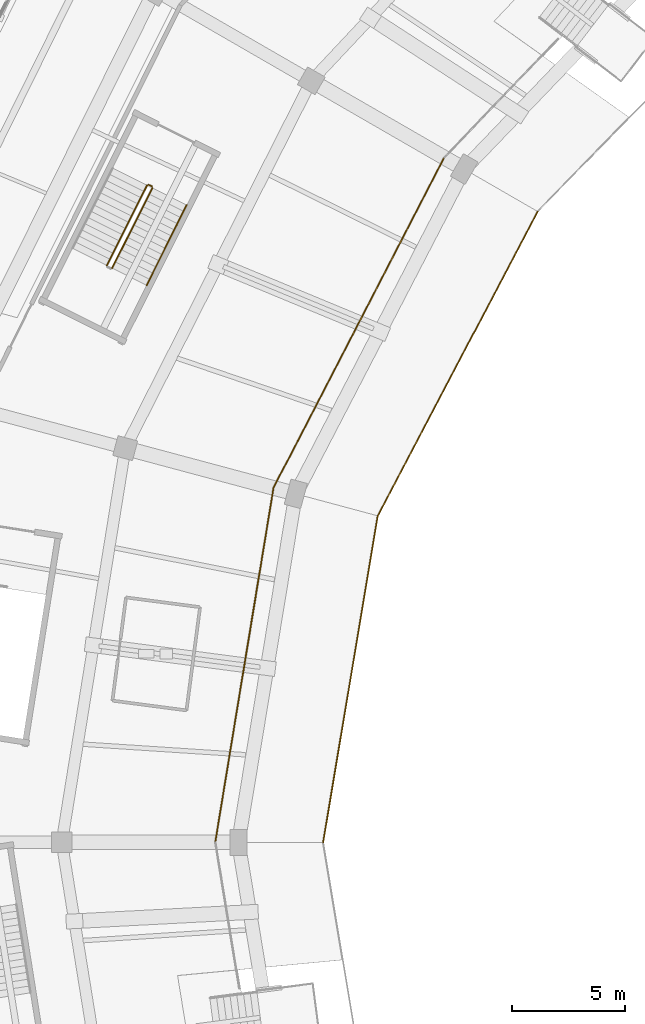
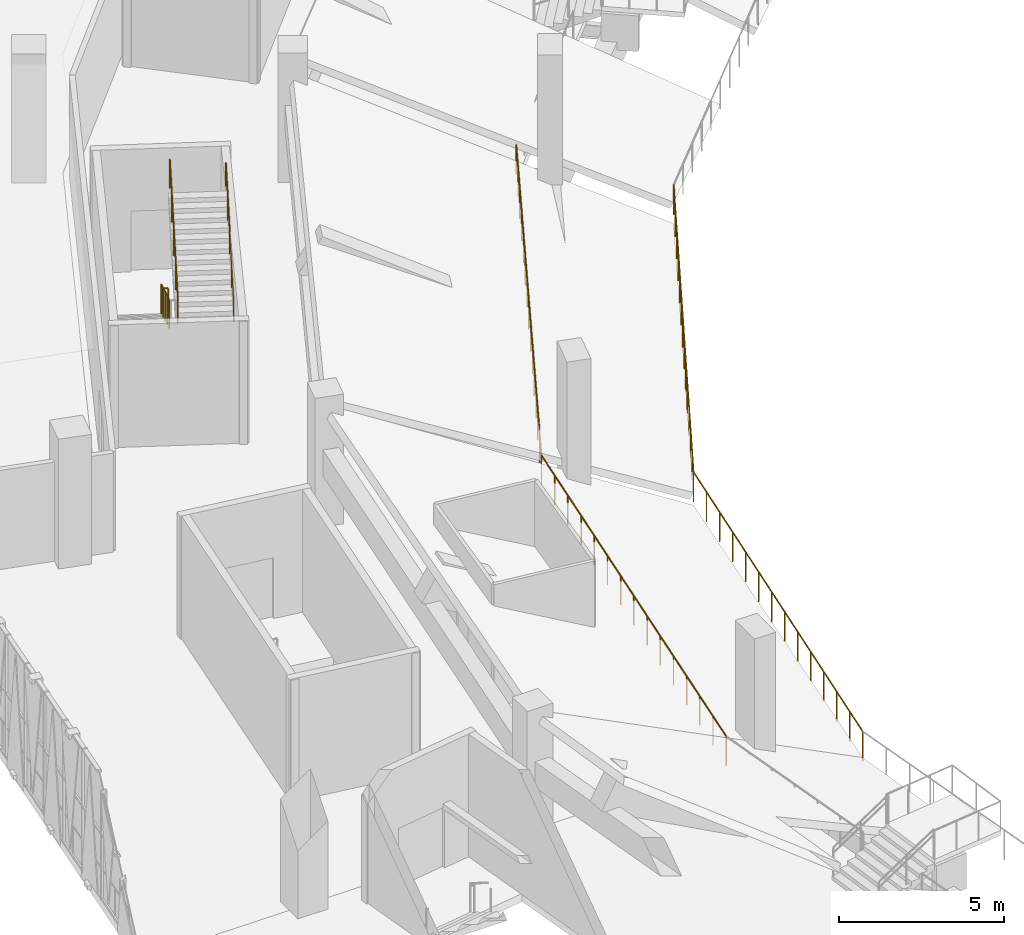
# One storey, part 124 of 152: 8 railings.
"""IFC4 building model written with IfcOpenShell, lengths in metres."""

from ifc_helpers import new_model, si_unit, direction, frame, origin, origin_2d, place, context, subcontext, project, spatial, circle, extrude, material, type_object, element, save


model = new_model("IFC4")

# Units and contexts
model_context = context("Model", 3, precision=1e-05, world=origin(), true_north=direction((0.0, 1.0)))
body_context = subcontext(model_context, "Body", "Model", "MODEL_VIEW")
ifc_project = project(units=[si_unit("LENGTHUNIT", "METRE"), si_unit("AREAUNIT", "SQUARE_METRE"), si_unit("VOLUMEUNIT", "CUBIC_METRE"), si_unit("PLANEANGLEUNIT", "RADIAN"), si_unit("MASSUNIT", "GRAM", prefix="KILO")], contexts=[model_context])

# Site, building, storey
site_placement = place(None, origin())
site = spatial("IfcSite", under=ifc_project, at=site_placement, CompositionType="ELEMENT")
building_placement = place(site_placement, origin())
building = spatial("IfcBuilding", under=site, at=building_placement, Name="Zevraka Park Crest Stadium", CompositionType="ELEMENT")
storey_placement = place(building_placement, frame((0.0, 0.0, 15.0)))
storey = spatial("IfcBuildingStorey", under=building, at=storey_placement, Name="L03", CompositionType="ELEMENT", Elevation=15.0)

# Railings
ifc_material_1 = material(Name="Galvanised and bronze-finished steel balustrade", Category="steel")
railing_type_1 = type_object("IfcRailingType", Name="GR01", PredefinedType="GUARDRAIL", material=ifc_material_1)
railing_1_placement = place(storey_placement, frame((46.595947265625, 122.257080078125, 0.0)))
element("IfcRailing", 1, at=railing_1_placement, inside=storey, type_object=railing_type_1, Name="Deck Edge Protection Guardrail GR01 L03-77", PredefinedType="GUARDRAIL", context=body_context, shape_type="SweptSolid", body=[
    extrude(circle(Radius=0.02392578125, at=origin_2d()), frame((0.0, 0.0, 1.076171875), z_axis=(-0.459204881933, -0.888330386967, 0.0), x_axis=(0.888330386967, -0.459204881933, 0.0)), (0.0, 0.0, 1.0), 16.419677734375),
    extrude(circle(Radius=0.02099609375, at=origin_2d()), origin(), (0.0, 0.0, 1.0), 1.052001953125),
    extrude(circle(Radius=0.02099609375, at=origin_2d()), frame((-0.53857421875, -1.0419921875, 0.0)), (0.0, 0.0, 1.0), 1.052001953125),
    extrude(circle(Radius=0.02099609375, at=origin_2d()), frame((-1.0771484375, -2.083740234375, 0.0)), (0.0, 0.0, 1.0), 1.052001953125),
    extrude(circle(Radius=0.02099609375, at=origin_2d()), frame((-1.61572265625, -3.12548828125, 0.0)), (0.0, 0.0, 1.0), 1.052001953125),
    extrude(circle(Radius=0.02099609375, at=origin_2d()), frame((-2.154296875, -4.16748046875, 0.0)), (0.0, 0.0, 1.0), 1.052001953125),
    extrude(circle(Radius=0.02099609375, at=origin_2d()), frame((-2.69287109375, -5.20947265625, 0.0)), (0.0, 0.0, 1.0), 1.052001953125),
    extrude(circle(Radius=0.02099609375, at=origin_2d()), frame((-3.2314453125, -6.251220703125, 0.0)), (0.0, 0.0, 1.0), 1.052001953125),
    extrude(circle(Radius=0.02099609375, at=origin_2d()), frame((-3.77001953125, -7.29296875, 0.0)), (0.0, 0.0, 1.0), 1.052001953125),
    extrude(circle(Radius=0.02099609375, at=origin_2d()), frame((-4.30859375, -8.3349609375, 0.0)), (0.0, 0.0, 1.0), 1.052001953125),
    extrude(circle(Radius=0.02099609375, at=origin_2d()), frame((-4.84716796875, -9.376953125, 0.0)), (0.0, 0.0, 1.0), 1.052001953125),
    extrude(circle(Radius=0.02099609375, at=origin_2d()), frame((-5.3857421875, -10.418701171875, 0.0)), (0.0, 0.0, 1.0), 1.052001953125),
    extrude(circle(Radius=0.02099609375, at=origin_2d()), frame((-5.92431640625, -11.46044921875, 0.0)), (0.0, 0.0, 1.0), 1.052001953125),
    extrude(circle(Radius=0.02099609375, at=origin_2d()), frame((-6.462890625, -12.50244140625, 0.0)), (0.0, 0.0, 1.0), 1.052001953125),
    extrude(circle(Radius=0.02099609375, at=origin_2d()), frame((-7.00146484375, -13.54443359375, 0.0)), (0.0, 0.0, 1.0), 1.052001953125),
    extrude(circle(Radius=0.02099609375, at=origin_2d()), frame((-7.5400390625, -14.586181640625, 0.0)), (0.0, 0.0, 1.0), 1.052001953125),
])
railing_2_placement = place(storey_placement, frame((39.055908203125, 107.6708984375, 0.0)))
element("IfcRailing", 2, at=railing_2_placement, inside=storey, type_object=railing_type_1, Name="Deck Edge Protection Guardrail GR01 L03-78", PredefinedType="GUARDRAIL", context=body_context, shape_type="SweptSolid", body=[
    extrude(circle(Radius=0.02392578125, at=origin_2d()), frame((0.0, 0.0, 1.076171875), z_axis=(-0.162250715874, -0.986749565593, 0.0), x_axis=(0.986749565593, -0.162250715874, 0.0)), (0.0, 0.0, 1.0), 15.8701171875),
    extrude(circle(Radius=0.02099609375, at=origin_2d()), origin(), (0.0, 0.0, 1.0), 1.052001953125),
    extrude(circle(Radius=0.02099609375, at=origin_2d()), frame((-0.183837890625, -1.11865234375, 0.0)), (0.0, 0.0, 1.0), 1.052001953125),
    extrude(circle(Radius=0.02099609375, at=origin_2d()), frame((-0.367919921875, -2.237060546875, 0.0)), (0.0, 0.0, 1.0), 1.052001953125),
    extrude(circle(Radius=0.02099609375, at=origin_2d()), frame((-0.5517578125, -3.355712890625, 0.0)), (0.0, 0.0, 1.0), 1.052001953125),
    extrude(circle(Radius=0.02099609375, at=origin_2d()), frame((-0.735595703125, -4.474365234375, 0.0)), (0.0, 0.0, 1.0), 1.052001953125),
    extrude(circle(Radius=0.02099609375, at=origin_2d()), frame((-0.919677734375, -5.5927734375, 0.0)), (0.0, 0.0, 1.0), 1.052001953125),
    extrude(circle(Radius=0.02099609375, at=origin_2d()), frame((-1.103515625, -6.71142578125, 0.0)), (0.0, 0.0, 1.0), 1.052001953125),
    extrude(circle(Radius=0.02099609375, at=origin_2d()), frame((-1.28759765625, -7.830078125, 0.0)), (0.0, 0.0, 1.0), 1.052001953125),
    extrude(circle(Radius=0.02099609375, at=origin_2d()), frame((-1.471435546875, -8.948486328125, 0.0)), (0.0, 0.0, 1.0), 1.052001953125),
    extrude(circle(Radius=0.02099609375, at=origin_2d()), frame((-1.6552734375, -10.067138671875, 0.0)), (0.0, 0.0, 1.0), 1.052001953125),
    extrude(circle(Radius=0.02099609375, at=origin_2d()), frame((-1.83935546875, -11.185546875, 0.0)), (0.0, 0.0, 1.0), 1.052001953125),
    extrude(circle(Radius=0.02099609375, at=origin_2d()), frame((-2.023193359375, -12.30419921875, 0.0)), (0.0, 0.0, 1.0), 1.052001953125),
    extrude(circle(Radius=0.02099609375, at=origin_2d()), frame((-2.20703125, -13.4228515625, 0.0)), (0.0, 0.0, 1.0), 1.052001953125),
    extrude(circle(Radius=0.02099609375, at=origin_2d()), frame((-2.39111328125, -14.541259765625, 0.0)), (0.0, 0.0, 1.0), 1.052001953125),
    extrude(circle(Radius=0.02099609375, at=origin_2d()), frame((-2.574951171875, -15.659912109375, 0.0)), (0.0, 0.0, 1.0), 1.052001953125),
])
ifc_material_2 = material(Name="Laminated glass and stainless steel sightline bowl guard", Category="steel")
railing_type_2 = type_object("IfcRailingType", Name="GR02", PredefinedType="GUARDRAIL", material=ifc_material_2)
railing_3_placement = place(storey_placement, frame((50.72900390625, 119.875, -1.5)))
element("IfcRailing", 3, at=railing_3_placement, inside=storey, type_object=railing_type_2, Name="Upper Tier Cantilever Sightline Guard GR02 10", PredefinedType="GUARDRAIL", context=body_context, shape_type="SweptSolid", body=[
    extrude(circle(Radius=0.02392578125, at=origin_2d()), frame((0.0, 0.0, 1.09619140625), z_axis=(-0.46529528059, -0.885155524109, 0.0), x_axis=(0.885155524109, -0.46529528059, 0.0)), (0.0, 0.0, 1.0), 15.190673828125),
    extrude(circle(Radius=0.02099609375, at=origin_2d()), origin(), (0.0, 0.0, 1.0), 1.072021484375),
    extrude(circle(Radius=0.02099609375, at=origin_2d()), frame((-0.543701171875, -1.034423828125, 0.0)), (0.0, 0.0, 1.0), 1.072021484375),
    extrude(circle(Radius=0.02099609375, at=origin_2d()), frame((-1.08740234375, -2.068603515625, 0.0)), (0.0, 0.0, 1.0), 1.072021484375),
    extrude(circle(Radius=0.02099609375, at=origin_2d()), frame((-1.631103515625, -3.10302734375, 0.0)), (0.0, 0.0, 1.0), 1.072021484375),
    extrude(circle(Radius=0.02099609375, at=origin_2d()), frame((-2.1748046875, -4.13720703125, 0.0)), (0.0, 0.0, 1.0), 1.072021484375),
    extrude(circle(Radius=0.02099609375, at=origin_2d()), frame((-2.718505859375, -5.171630859375, 0.0)), (0.0, 0.0, 1.0), 1.072021484375),
    extrude(circle(Radius=0.02099609375, at=origin_2d()), frame((-3.26220703125, -6.205810546875, 0.0)), (0.0, 0.0, 1.0), 1.072021484375),
    extrude(circle(Radius=0.02099609375, at=origin_2d()), frame((-3.805908203125, -7.240234375, 0.0)), (0.0, 0.0, 1.0), 1.072021484375),
    extrude(circle(Radius=0.02099609375, at=origin_2d()), frame((-4.349609375, -8.2744140625, 0.0)), (0.0, 0.0, 1.0), 1.072021484375),
    extrude(circle(Radius=0.02099609375, at=origin_2d()), frame((-4.893310546875, -9.308837890625, 0.0)), (0.0, 0.0, 1.0), 1.072021484375),
    extrude(circle(Radius=0.02099609375, at=origin_2d()), frame((-5.43701171875, -10.343017578125, 0.0)), (0.0, 0.0, 1.0), 1.072021484375),
    extrude(circle(Radius=0.02099609375, at=origin_2d()), frame((-5.980712890625, -11.37744140625, 0.0)), (0.0, 0.0, 1.0), 1.072021484375),
    extrude(circle(Radius=0.02099609375, at=origin_2d()), frame((-6.5244140625, -12.41162109375, 0.0)), (0.0, 0.0, 1.0), 1.072021484375),
    extrude(circle(Radius=0.02099609375, at=origin_2d()), frame((-7.068115234375, -13.446044921875, 0.0)), (0.0, 0.0, 1.0), 1.072021484375),
])
railing_4_placement = place(storey_placement, frame((43.660888671875, 106.428955078125, -1.5)))
element("IfcRailing", 4, at=railing_4_placement, inside=storey, type_object=railing_type_2, Name="Upper Tier Cantilever Sightline Guard GR02 11", PredefinedType="GUARDRAIL", context=body_context, shape_type="SweptSolid", body=[
    extrude(circle(Radius=0.02392578125, at=origin_2d()), frame((0.0, 0.0, 1.09619140625), z_axis=(-0.164802211823, -0.986326635034, 0.0), x_axis=(0.986326635034, -0.164802211823, 0.0)), (0.0, 0.0, 1.0), 14.62890625),
    extrude(circle(Radius=0.02099609375, at=origin_2d()), origin(), (0.0, 0.0, 1.0), 1.072021484375),
    extrude(circle(Radius=0.02099609375, at=origin_2d()), frame((-0.185546875, -1.10986328125, 0.0)), (0.0, 0.0, 1.0), 1.072021484375),
    extrude(circle(Radius=0.02099609375, at=origin_2d()), frame((-0.370849609375, -2.2197265625, 0.0)), (0.0, 0.0, 1.0), 1.072021484375),
    extrude(circle(Radius=0.02099609375, at=origin_2d()), frame((-0.556396484375, -3.329833984375, 0.0)), (0.0, 0.0, 1.0), 1.072021484375),
    extrude(circle(Radius=0.02099609375, at=origin_2d()), frame((-0.74169921875, -4.439697265625, 0.0)), (0.0, 0.0, 1.0), 1.072021484375),
    extrude(circle(Radius=0.02099609375, at=origin_2d()), frame((-0.92724609375, -5.549560546875, 0.0)), (0.0, 0.0, 1.0), 1.072021484375),
    extrude(circle(Radius=0.02099609375, at=origin_2d()), frame((-1.11279296875, -6.659423828125, 0.0)), (0.0, 0.0, 1.0), 1.072021484375),
    extrude(circle(Radius=0.02099609375, at=origin_2d()), frame((-1.298095703125, -7.76953125, 0.0)), (0.0, 0.0, 1.0), 1.072021484375),
    extrude(circle(Radius=0.02099609375, at=origin_2d()), frame((-1.483642578125, -8.87939453125, 0.0)), (0.0, 0.0, 1.0), 1.072021484375),
    extrude(circle(Radius=0.02099609375, at=origin_2d()), frame((-1.669189453125, -9.9892578125, 0.0)), (0.0, 0.0, 1.0), 1.072021484375),
    extrude(circle(Radius=0.02099609375, at=origin_2d()), frame((-1.8544921875, -11.09912109375, 0.0)), (0.0, 0.0, 1.0), 1.072021484375),
    extrude(circle(Radius=0.02099609375, at=origin_2d()), frame((-2.0400390625, -12.209228515625, 0.0)), (0.0, 0.0, 1.0), 1.072021484375),
    extrude(circle(Radius=0.02099609375, at=origin_2d()), frame((-2.225341796875, -13.319091796875, 0.0)), (0.0, 0.0, 1.0), 1.072021484375),
    extrude(circle(Radius=0.02099609375, at=origin_2d()), frame((-2.410888671875, -14.428955078125, 0.0)), (0.0, 0.0, 1.0), 1.072021484375),
])
ifc_material_3 = material(Name="Powder-coated tubular steel stairwell guard", Category="steel")
railing_type_3 = type_object("IfcRailingType", Name="GR03", PredefinedType="GUARDRAIL", material=ifc_material_3)
railing_5_placement = place(storey_placement, frame((33.4677734375, 121.034912109375, 0.17138671875)))
element("IfcRailing", 5, at=railing_5_placement, inside=storey, type_object=railing_type_3, Name="L03 ST11 stair guard 1", PredefinedType="GUARDRAIL", context=body_context, shape_type="SweptSolid", body=[
    extrude(circle(Radius=0.02392578125, at=origin_2d()), frame((0.0, 0.0, 1.076171875), z_axis=(-0.39045397791, -0.779404971028, 0.489973042393), x_axis=(0.894082100069, -0.447903112666, 0.0)), (0.0, 0.0, 1.0), 4.54833984375),
    extrude(circle(Radius=0.02099609375, at=origin_2d()), origin(), (0.0, 0.0, 1.0), 1.052001953125),
    extrude(circle(Radius=0.02099609375, at=origin_2d()), frame((-0.44384765625, -0.88623046875, 0.55712890625)), (0.0, 0.0, 1.0), 1.052001953125),
    extrude(circle(Radius=0.02099609375, at=origin_2d()), frame((-0.887939453125, -1.7724609375, 1.1142578125)), (0.0, 0.0, 1.0), 1.052001953125),
    extrude(circle(Radius=0.02099609375, at=origin_2d()), frame((-1.33203125, -2.65869140625, 1.67138671875)), (0.0, 0.0, 1.0), 1.052001953125),
    extrude(circle(Radius=0.02099609375, at=origin_2d()), frame((-1.77587890625, -3.544921875, 2.228515625)), (0.0, 0.0, 1.0), 1.052001953125),
])
railing_6_placement = place(storey_placement, frame((31.92431640625, 117.37353515625, 2.571533203125)))
element("IfcRailing", 6, at=railing_6_placement, inside=storey, type_object=railing_type_3, Name="L03 ST11 stair guard 3", PredefinedType="GUARDRAIL", context=body_context, shape_type="SweptSolid", body=[
    extrude(circle(Radius=0.02392578125, at=origin_2d()), frame((0.0, 0.0, 1.076171875), z_axis=(0.39045397791, 0.779404971028, 0.489973042393), x_axis=(-0.894082100069, 0.447903112666, 0.0)), (0.0, 0.0, 1.0), 4.54833984375),
    extrude(circle(Radius=0.02099609375, at=origin_2d()), origin(), (0.0, 0.0, 1.0), 1.052001953125),
    extrude(circle(Radius=0.02099609375, at=origin_2d()), frame((0.44384765625, 0.88623046875, 0.55712890625)), (0.0, 0.0, 1.0), 1.052001953125),
    extrude(circle(Radius=0.02099609375, at=origin_2d()), frame((0.887939453125, 1.7724609375, 1.1142578125)), (0.0, 0.0, 1.0), 1.052001953125),
    extrude(circle(Radius=0.02099609375, at=origin_2d()), frame((1.33203125, 2.65869140625, 1.67138671875)), (0.0, 0.0, 1.0), 1.052001953125),
    extrude(circle(Radius=0.02099609375, at=origin_2d()), frame((1.77587890625, 3.544921875, 2.228515625)), (0.0, 0.0, 1.0), 1.052001953125),
])
railing_7_placement = place(storey_placement, frame((33.534912109375, 121.057373046875, 0.0)))
element("IfcRailing", 7, at=railing_7_placement, inside=storey, type_object=railing_type_3, Name="L03 ST11 stair guard 4", PredefinedType="GUARDRAIL", context=body_context, shape_type="SweptSolid", body=[
    extrude(circle(Radius=0.02392578125, at=origin_2d()), frame((0.0, 0.0, 1.076171875), z_axis=(0.893816245171, -0.44843340628, 0.0), x_axis=(0.44843340628, 0.893816245171, 0.0)), (0.0, 0.0, 1.0), 0.16015625),
    extrude(circle(Radius=0.02099609375, at=origin_2d()), origin(), (0.0, 0.0, 1.0), 1.052001953125),
    extrude(circle(Radius=0.02099609375, at=origin_2d()), frame((0.14306640625, -0.07177734375, 0.0)), (0.0, 0.0, 1.0), 1.052001953125),
])
ifc_material_4 = material(Name="Brushed stainless steel continuous handrail", Category="steel")
railing_type_4 = type_object("IfcRailingType", Name="HR01", PredefinedType="HANDRAIL", material=ifc_material_4)
railing_8_placement = place(storey_placement, frame((33.4443359375, 116.612060546875, 2.571533203125)))
element("IfcRailing", 8, at=railing_8_placement, inside=storey, type_object=railing_type_4, Name="L03 ST11 stair handrail 2", PredefinedType="HANDRAIL", context=body_context, shape_type="SweptSolid", body=[
    extrude(circle(Radius=0.02392578125, at=origin_2d()), frame((0.0, 0.0, 0.8759765625), z_axis=(0.39045397791, 0.779404971028, 0.489973042393), x_axis=(-0.894082100069, 0.447903112666, 0.0)), (0.0, 0.0, 1.0), 4.54833984375),
    extrude(circle(Radius=0.02099609375, at=origin_2d()), origin(), (0.0, 0.0, 1.0), 0.851806640625),
    extrude(circle(Radius=0.02099609375, at=origin_2d()), frame((0.44384765625, 0.88623046875, 0.55712890625)), (0.0, 0.0, 1.0), 0.851806640625),
    extrude(circle(Radius=0.02099609375, at=origin_2d()), frame((0.887939453125, 1.7724609375, 1.1142578125)), (0.0, 0.0, 1.0), 0.851806640625),
    extrude(circle(Radius=0.02099609375, at=origin_2d()), frame((1.33203125, 2.65869140625, 1.67138671875)), (0.0, 0.0, 1.0), 0.851806640625),
    extrude(circle(Radius=0.02099609375, at=origin_2d()), frame((1.77587890625, 3.544921875, 2.228515625)), (0.0, 0.0, 1.0), 0.851806640625),
])

save(model, "model.ifc")
